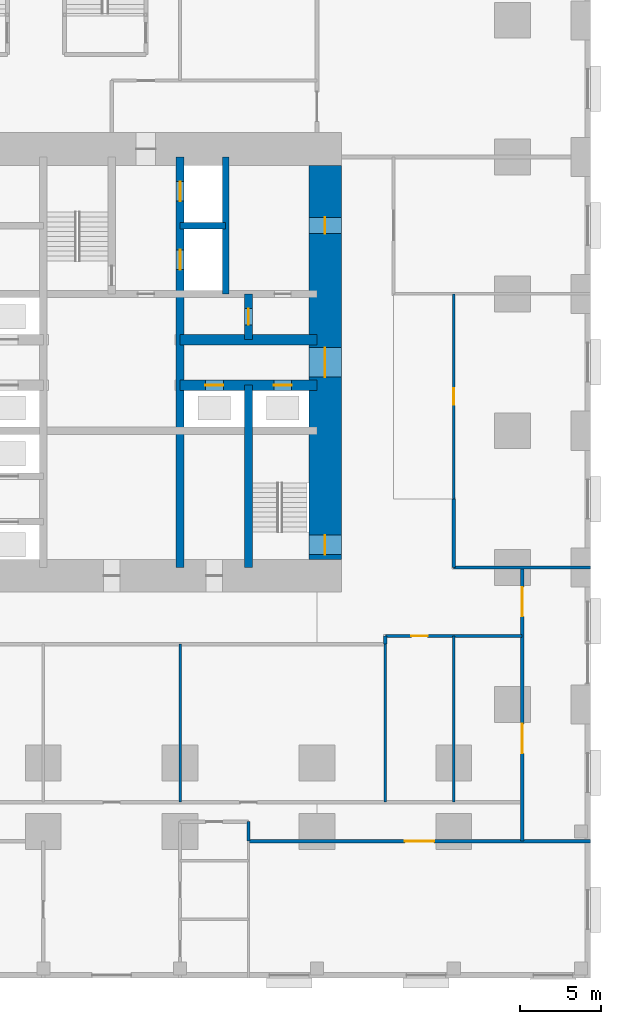
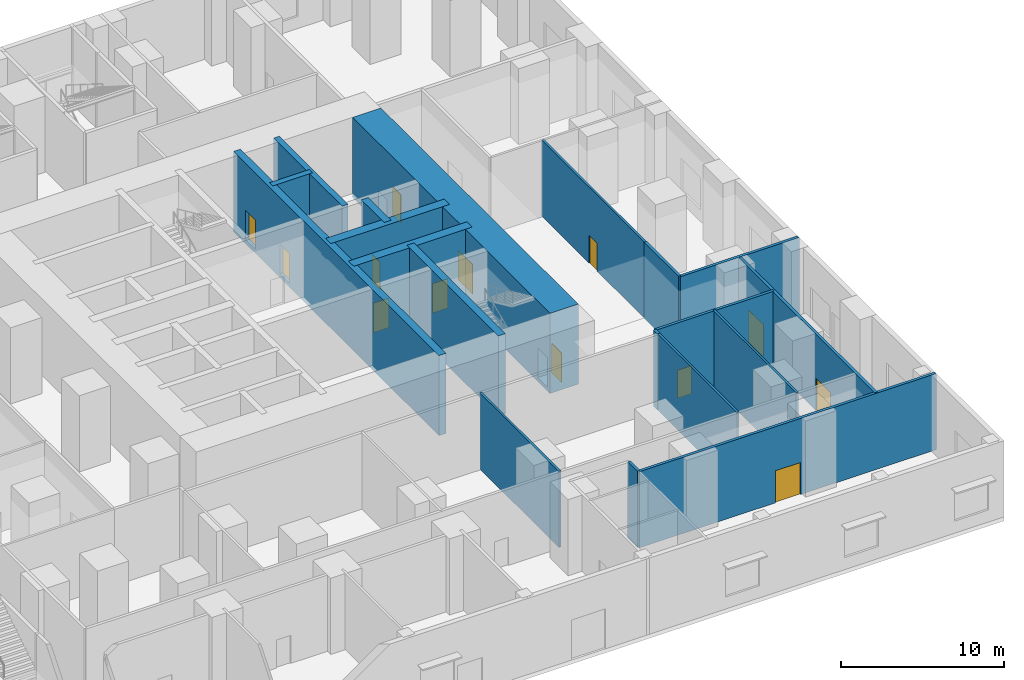
# One storey, part 19 of 26: 19 walls, 13 doors, 13 openings.
"""IFC4 building model written with IfcOpenShell, lengths in metres."""

from ifc_helpers import new_model, si_unit, direction, frame, frame_2d, origin, place, context, subcontext, project, spatial, rectangle, extrude, material, layer, layer_set, type_object, element, fill, save


model = new_model("IFC4")

# Units and contexts
model_context = context("Model", 3, precision=1e-05, world=origin(), true_north=direction((0.0, 1.0)))
body_context = subcontext(model_context, "Body", "Model", "MODEL_VIEW")
ifc_project = project(units=[si_unit("LENGTHUNIT", "METRE"), si_unit("AREAUNIT", "SQUARE_METRE"), si_unit("VOLUMEUNIT", "CUBIC_METRE"), si_unit("PLANEANGLEUNIT", "RADIAN"), si_unit("MASSUNIT", "GRAM", prefix="KILO")], contexts=[model_context])

# Site, building, storey
site_placement = place(None, origin())
site = spatial("IfcSite", under=ifc_project, at=site_placement, CompositionType="ELEMENT")
building_placement = place(site_placement, origin())
building = spatial("IfcBuilding", under=site, at=building_placement, Name="Dunama Terrace Hotel", CompositionType="ELEMENT")
storey_placement = place(building_placement, origin())
storey = spatial("IfcBuildingStorey", under=building, at=storey_placement, Name="L00", CompositionType="ELEMENT", Elevation=0.0)

# Walls
ifc_material_1 = material(Name="Concrete C50/60", Category="concrete")
ifc_layer_1 = layer(ifc_material_1, 0.39990234375)
ifc_layer_set_1 = layer_set([ifc_layer_1], Name="Core inner wall 400")
wall_type_1 = type_object("IfcWallType", Name="Core inner wall 400", PredefinedType="SHEAR", material=ifc_layer_set_1)
wall_1_placement = place(storey_placement, frame((36.39990234375, 33.60009765625, -0.300048828125), z_axis=(0.0, 0.0, 1.0), x_axis=(0.0, 1.0, 0.0)))
element("IfcWall", 1, at=wall_1_placement, inside=storey, type_object=wall_type_1, Name="Core inner wall 400 L00", PredefinedType="SHEAR", context=body_context, shape_type="SweptSolid", body=[
    extrude(rectangle(XDim=8.39990234375, YDim=0.39990234375, at=frame_2d((4.199951171875, 0.0))), origin(), (0.0, 0.0, 1.0), 6.0),
])
wall_2_placement = place(storey_placement, frame((33.60009765625, 37.800048828125, -0.300048828125), z_axis=(0.0, 0.0, 1.0), x_axis=(1.0, 0.0, 0.0)))
element("IfcWall", 2, at=wall_2_placement, inside=storey, type_object=wall_type_1, Name="Core inner wall 400 L00", PredefinedType="SHEAR", context=body_context, shape_type="SweptSolid", body=[
    extrude(rectangle(XDim=2.7998046875, YDim=0.39990234375, at=frame_2d((1.39990234375, 0.0))), origin(), (0.0, 0.0, 1.0), 6.0),
])

# Wall, openings, doors
ifc_material_2 = material(Name="Concrete C50/60", Category="concrete")
ifc_layer_2 = layer(ifc_material_2, 0.5)
ifc_layer_set_2 = layer_set([ifc_layer_2], Name="Core inner wall 500")
wall_type_2 = type_object("IfcWallType", Name="Core inner wall 500", PredefinedType="SHEAR", material=ifc_layer_set_2)
wall_3_placement = place(storey_placement, frame((33.60009765625, 16.800048828125, -0.300048828125), z_axis=(0.0, 0.0, 1.0), x_axis=(0.0, 1.0, 0.0)))
wall_3 = element("IfcWall", 3, at=wall_3_placement, inside=storey, type_object=wall_type_2, Name="Core inner wall 500 L00", PredefinedType="SHEAR", context=body_context, shape_type="SweptSolid", body=[
    extrude(rectangle(XDim=25.199951171875, YDim=0.5, at=frame_2d((12.60009765625, 0.0))), origin(), (0.0, 0.0, 1.0), 6.0),
])
opening_1_placement = place(wall_3_placement, frame((22.5, 0.0, 0.300048828125)))
opening_1 = element("IfcOpeningElement", 4, at=opening_1_placement, cuts=wall_3, Name="Opening L00-038", PredefinedType="OPENING", context=body_context, shape_type="SweptSolid", body=[
    extrude(rectangle(XDim=1.199951171875, YDim=2.199951171875, at=frame_2d((0.60009765625, 1.10009765625))), frame((0.0, 0.260009765625, 0.0), z_axis=(0.0, -1.0, 0.0), x_axis=(1.0, 0.0, 0.0)), (0.0, 0.0, 1.0), 0.52001953125),
])
opening_2_placement = place(wall_3_placement, frame((18.300048828125, 0.0, 0.300048828125)))
opening_2 = element("IfcOpeningElement", 5, at=opening_2_placement, cuts=wall_3, Name="Opening L00-039", PredefinedType="OPENING", context=body_context, shape_type="SweptSolid", body=[
    extrude(rectangle(XDim=1.199951171875, YDim=2.199951171875, at=frame_2d((0.60009765625, 1.10009765625))), frame((0.0, 0.260009765625, 0.0), z_axis=(0.0, -1.0, 0.0), x_axis=(1.0, 0.0, 0.0)), (0.0, 0.0, 1.0), 0.52001953125),
])
ifc_material_3 = material(Name="Stainless steel lift door", Category="steel")
door_type_1 = type_object("IfcDoorType", Name="Firefighting lift landing door 1200", OperationType="DOUBLE_DOOR_SLIDING", PredefinedType="DOOR", material=ifc_material_3)
door_1_placement = place(opening_1_placement, origin())
door_1 = element("IfcDoor", 6, at=door_1_placement, inside=storey, type_object=door_type_1, Name="Landing door FL1 L00-038, type LD2", OperationType="DOUBLE_DOOR_SLIDING", OverallHeight=2.199951171875, OverallWidth=1.199951171875, PredefinedType="DOOR", context=body_context, shape_type="SweptSolid", body=[
    extrude(rectangle(XDim=1.199951171875, YDim=2.199951171875, at=frame_2d((0.60009765625, 1.10009765625))), frame((0.0, 0.02490234375, 0.0), z_axis=(0.0, -1.0, 0.0), x_axis=(1.0, 0.0, 0.0)), (0.0, 0.0, 1.0), 0.050048828125),
])
fill(opening_1, door_1)
door_2_placement = place(opening_2_placement, origin())
door_2 = element("IfcDoor", 7, at=door_2_placement, inside=storey, type_object=door_type_1, Name="Landing door FL2 L00-039, type LD2", OperationType="DOUBLE_DOOR_SLIDING", OverallHeight=2.199951171875, OverallWidth=1.199951171875, PredefinedType="DOOR", context=body_context, shape_type="SweptSolid", body=[
    extrude(rectangle(XDim=1.199951171875, YDim=2.199951171875, at=frame_2d((0.60009765625, 1.10009765625))), frame((0.0, 0.02490234375, 0.0), z_axis=(0.0, -1.0, 0.0), x_axis=(1.0, 0.0, 0.0)), (0.0, 0.0, 1.0), 0.050048828125),
])
fill(opening_2, door_2)

# Wall
wall_4_placement = place(storey_placement, frame((37.800048828125, 16.800048828125, -0.300048828125), z_axis=(0.0, 0.0, 1.0), x_axis=(0.0, 1.0, 0.0)))
element("IfcWall", 8, at=wall_4_placement, inside=storey, type_object=wall_type_2, Name="Core inner wall 500 L00", PredefinedType="SHEAR", context=body_context, shape_type="SweptSolid", body=[
    extrude(rectangle(XDim=11.199951171875, YDim=0.5, at=frame_2d((5.60009765625, 0.0))), origin(), (0.0, 0.0, 1.0), 6.0),
])

# Wall, opening, door
wall_5_placement = place(storey_placement, frame((37.800048828125, 30.800048828125, -0.300048828125), z_axis=(0.0, 0.0, 1.0), x_axis=(0.0, 1.0, 0.0)))
wall_5 = element("IfcWall", 9, at=wall_5_placement, inside=storey, type_object=wall_type_2, Name="Core inner wall 500 L00", PredefinedType="SHEAR", context=body_context, shape_type="SweptSolid", body=[
    extrude(rectangle(XDim=2.800048828125, YDim=0.5, at=frame_2d((1.39990234375, 0.0))), origin(), (0.0, 0.0, 1.0), 6.0),
])
opening_3_placement = place(wall_5_placement, frame((0.89990234375, 0.0, 0.300048828125)))
opening_3 = element("IfcOpeningElement", 10, at=opening_3_placement, cuts=wall_5, Name="Opening L00-045", PredefinedType="OPENING", context=body_context, shape_type="SweptSolid", body=[
    extrude(rectangle(XDim=1.0, YDim=2.10009765625, at=frame_2d((0.5, 1.050048828125))), frame((0.0, 0.260009765625, 0.0), z_axis=(0.0, -1.0, 0.0), x_axis=(1.0, 0.0, 0.0)), (0.0, 0.0, 1.0), 0.52001953125),
])
ifc_material_4 = material(Name="Timber door with steel frame", Category="steel")
door_type_2 = type_object("IfcDoorType", Name="Service door 1000", OperationType="SINGLE_SWING_LEFT", PredefinedType="DOOR", material=ifc_material_4)
door_3_placement = place(opening_3_placement, frame((1.0, 0.0, 0.0), z_axis=(0.0, 0.0, 1.0), x_axis=(-1.0, 0.0, 0.0)))
door_3 = element("IfcDoor", 11, at=door_3_placement, inside=storey, type_object=door_type_2, Name="Door to service riser L00-045, type D7", OperationType="SINGLE_SWING_RIGHT", OverallHeight=2.10009765625, OverallWidth=1.0, PredefinedType="DOOR", context=body_context, shape_type="SweptSolid", body=[
    extrude(rectangle(XDim=1.0, YDim=2.10009765625, at=frame_2d((0.5, 1.050048828125))), frame((0.0, 0.025146484375, 0.0), z_axis=(0.0, -1.0, 0.0), x_axis=(1.0, 0.0, 0.0)), (0.0, 0.0, 1.0), 0.050048828125),
])
fill(opening_3, door_3)

# Wall, openings, doors
ifc_material_5 = material(Name="Concrete C50/60", Category="concrete")
ifc_layer_3 = layer(ifc_material_5, 0.64990234375)
ifc_layer_set_3 = layer_set([ifc_layer_3], Name="Core inner wall 650")
wall_type_3 = type_object("IfcWallType", Name="Core inner wall 650", PredefinedType="SHEAR", material=ifc_layer_set_3)
wall_6_placement = place(storey_placement, frame((33.60009765625, 28.0, -0.300048828125), z_axis=(0.0, 0.0, 1.0), x_axis=(1.0, 0.0, 0.0)))
wall_6 = element("IfcWall", 12, at=wall_6_placement, inside=storey, type_object=wall_type_3, Name="Core inner wall 650 L00", PredefinedType="SHEAR", context=body_context, shape_type="SweptSolid", body=[
    extrude(rectangle(XDim=8.39990234375, YDim=0.64990234375, at=frame_2d((4.199951171875, 0.0))), origin(), (0.0, 0.0, 1.0), 6.0),
])
opening_4_placement = place(wall_6_placement, frame((1.550048828125, 0.0, 0.300048828125)))
opening_4 = element("IfcOpeningElement", 13, at=opening_4_placement, cuts=wall_6, Name="Opening L00-032", PredefinedType="OPENING", context=body_context, shape_type="SweptSolid", body=[
    extrude(rectangle(XDim=1.10009765625, YDim=2.199951171875, at=frame_2d((0.550048828125, 1.10009765625))), frame((0.0, 0.3349609375, 0.0), z_axis=(0.0, -1.0, 0.0), x_axis=(1.0, 0.0, 0.0)), (0.0, 0.0, 1.0), 0.669921875),
])
opening_5_placement = place(wall_6_placement, frame((5.75, 0.0, 0.300048828125)))
opening_5 = element("IfcOpeningElement", 14, at=opening_5_placement, cuts=wall_6, Name="Opening L00-033", PredefinedType="OPENING", context=body_context, shape_type="SweptSolid", body=[
    extrude(rectangle(XDim=1.10009765625, YDim=2.199951171875, at=frame_2d((0.550048828125, 1.10009765625))), frame((0.0, 0.3349609375, 0.0), z_axis=(0.0, -1.0, 0.0), x_axis=(1.0, 0.0, 0.0)), (0.0, 0.0, 1.0), 0.669921875),
])
ifc_material_6 = material(Name="Stainless steel lift door", Category="steel")
door_type_3 = type_object("IfcDoorType", Name="Lift landing door 1100", OperationType="DOUBLE_DOOR_SLIDING", PredefinedType="DOOR", material=ifc_material_6)
door_4_placement = place(opening_4_placement, origin())
door_4 = element("IfcDoor", 15, at=door_4_placement, inside=storey, type_object=door_type_3, Name="Landing door PB1 L00-032, type LD1", OperationType="DOUBLE_DOOR_SLIDING", OverallHeight=2.199951171875, OverallWidth=1.10009765625, PredefinedType="DOOR", context=body_context, shape_type="SweptSolid", body=[
    extrude(rectangle(XDim=1.10009765625, YDim=2.199951171875, at=frame_2d((0.550048828125, 1.10009765625))), frame((0.0, 0.02490234375, 0.0), z_axis=(0.0, -1.0, 0.0), x_axis=(1.0, 0.0, 0.0)), (0.0, 0.0, 1.0), 0.050048828125),
])
fill(opening_4, door_4)
door_5_placement = place(opening_5_placement, origin())
door_5 = element("IfcDoor", 16, at=door_5_placement, inside=storey, type_object=door_type_3, Name="Landing door PB2 L00-033, type LD1", OperationType="DOUBLE_DOOR_SLIDING", OverallHeight=2.199951171875, OverallWidth=1.10009765625, PredefinedType="DOOR", context=body_context, shape_type="SweptSolid", body=[
    extrude(rectangle(XDim=1.10009765625, YDim=2.199951171875, at=frame_2d((0.550048828125, 1.10009765625))), frame((0.0, 0.02490234375, 0.0), z_axis=(0.0, -1.0, 0.0), x_axis=(1.0, 0.0, 0.0)), (0.0, 0.0, 1.0), 0.050048828125),
])
fill(opening_5, door_5)

# Wall
wall_7_placement = place(storey_placement, frame((33.60009765625, 30.800048828125, -0.300048828125), z_axis=(0.0, 0.0, 1.0), x_axis=(1.0, 0.0, 0.0)))
element("IfcWall", 17, at=wall_7_placement, inside=storey, type_object=wall_type_3, Name="Core inner wall 650 L00", PredefinedType="SHEAR", context=body_context, shape_type="SweptSolid", body=[
    extrude(rectangle(XDim=8.39990234375, YDim=0.64990234375, at=frame_2d((4.199951171875, 0.0))), origin(), (0.0, 0.0, 1.0), 6.0),
])

# Wall, openings, doors
ifc_material_7 = material(Name="Concrete C60/75", Category="concrete")
ifc_layer_4 = layer(ifc_material_7, 2.0)
ifc_layer_set_4 = layer_set([ifc_layer_4], Name="Core wall 2000")
wall_type_4 = type_object("IfcWallType", Name="Core wall 2000", PredefinedType="SHEAR", material=ifc_layer_set_4)
wall_8_placement = place(storey_placement, frame((42.5, 17.300048828125, -0.300048828125), z_axis=(0.0, 0.0, 1.0), x_axis=(0.0, 1.0, 0.0)))
wall_8 = element("IfcWall", 18, at=wall_8_placement, inside=storey, type_object=wall_type_4, Name="Core wall east L00", PredefinedType="SHEAR", context=body_context, shape_type="SweptSolid", body=[
    extrude(rectangle(XDim=24.199951171875, YDim=2.0, at=frame_2d((12.10009765625, 0.0))), origin(), (0.0, 0.0, 1.0), 6.0),
])
opening_6_placement = place(wall_8_placement, frame((0.300048828125, 0.0, 0.300048828125)))
opening_6 = element("IfcOpeningElement", 19, at=opening_6_placement, cuts=wall_8, Name="Opening L00-021", PredefinedType="OPENING", context=body_context, shape_type="SweptSolid", body=[
    extrude(rectangle(XDim=1.199951171875, YDim=2.199951171875, at=frame_2d((0.60009765625, 1.10009765625))), frame((0.0, 1.010009765625, 0.0), z_axis=(0.0, -1.0, 0.0), x_axis=(1.0, 0.0, 0.0)), (0.0, 0.0, 1.0), 2.02001953125),
])
opening_7_placement = place(wall_8_placement, frame((11.199951171875, 0.0, 0.300048828125)))
opening_7 = element("IfcOpeningElement", 20, at=opening_7_placement, cuts=wall_8, Name="Opening L00-047", PredefinedType="OPENING", context=body_context, shape_type="SweptSolid", body=[
    extrude(rectangle(XDim=1.800048828125, YDim=2.199951171875, at=frame_2d((0.89990234375, 1.10009765625))), frame((0.0, 1.010009765625, 0.0), z_axis=(0.0, -1.0, 0.0), x_axis=(1.0, 0.0, 0.0)), (0.0, 0.0, 1.0), 2.02001953125),
])
opening_8_placement = place(wall_8_placement, frame((20.0, 0.0, 0.300048828125)))
opening_8 = element("IfcOpeningElement", 21, at=opening_8_placement, cuts=wall_8, Name="Opening L00-049", PredefinedType="OPENING", context=body_context, shape_type="SweptSolid", body=[
    extrude(rectangle(XDim=1.0, YDim=2.10009765625, at=frame_2d((0.5, 1.050048828125))), frame((0.0, 1.010009765625, 0.0), z_axis=(0.0, -1.0, 0.0), x_axis=(1.0, 0.0, 0.0)), (0.0, 0.0, 1.0), 2.02001953125),
])
ifc_material_8 = material(Name="Timber door with steel frame", Category="steel")
door_type_4 = type_object("IfcDoorType", Name="Lift lobby double door 1800", OperationType="DOUBLE_DOOR_DOUBLE_SWING", PredefinedType="DOOR", material=ifc_material_8)
door_6_placement = place(opening_7_placement, origin())
door_6 = element("IfcDoor", 22, at=door_6_placement, inside=storey, type_object=door_type_4, Name="Door to lift lobby L00-047, type D3", OperationType="DOUBLE_DOOR_DOUBLE_SWING", OverallHeight=2.199951171875, OverallWidth=1.800048828125, PredefinedType="DOOR", context=body_context, shape_type="SweptSolid", body=[
    extrude(rectangle(XDim=1.800048828125, YDim=2.199951171875, at=frame_2d((0.89990234375, 1.10009765625))), frame((0.0, 0.02490234375, 0.0), z_axis=(0.0, -1.0, 0.0), x_axis=(1.0, 0.0, 0.0)), (0.0, 0.0, 1.0), 0.050048828125),
])
fill(opening_7, door_6)
door_7_placement = place(opening_8_placement, origin())
door_7 = element("IfcDoor", 23, at=door_7_placement, inside=storey, type_object=door_type_2, Name="Door to bell desk store L00-049, type D7", OperationType="SINGLE_SWING_RIGHT", OverallHeight=2.10009765625, OverallWidth=1.0, PredefinedType="DOOR", context=body_context, shape_type="SweptSolid", body=[
    extrude(rectangle(XDim=1.0, YDim=2.10009765625, at=frame_2d((0.5, 1.050048828125))), frame((0.0, 0.02490234375, 0.0), z_axis=(0.0, -1.0, 0.0), x_axis=(1.0, 0.0, 0.0)), (0.0, 0.0, 1.0), 0.050048828125),
])
fill(opening_8, door_7)
ifc_material_9 = material(Name="Timber door with steel frame", Category="steel")
door_type_5 = type_object("IfcDoorType", Name="Stair door 1200", OperationType="SINGLE_SWING_LEFT", PredefinedType="DOOR", material=ifc_material_9)
door_8_placement = place(opening_6_placement, frame((1.199951171875, 0.0, 0.0), z_axis=(0.0, 0.0, 1.0), x_axis=(-1.0, 0.0, 0.0)))
door_8 = element("IfcDoor", 24, at=door_8_placement, inside=storey, type_object=door_type_5, Name="Stair door ST2 L00-021, type D5", OperationType="SINGLE_SWING_RIGHT", OverallHeight=2.199951171875, OverallWidth=1.199951171875, PredefinedType="DOOR", context=body_context, shape_type="SweptSolid", body=[
    extrude(rectangle(XDim=1.199951171875, YDim=2.199951171875, at=frame_2d((0.599853515625, 1.10009765625))), frame((0.0, 0.025146484375, 0.0), z_axis=(0.0, -1.0, 0.0), x_axis=(1.0, 0.0, 0.0)), (0.0, 0.0, 1.0), 0.050048828125),
])
fill(opening_6, door_8)

# Walls
ifc_material_10 = material(Name="Concrete blockwork", Category="masonry")
ifc_layer_5 = layer(ifc_material_10, 0.199951171875)
ifc_layer_set_5 = layer_set([ifc_layer_5], Name="Corridor partition 200")
wall_type_5 = type_object("IfcWallType", Name="Corridor partition 200", PredefinedType="PARTITIONING", material=ifc_layer_set_5)
wall_9_placement = place(storey_placement, frame((37.800048828125, 0.0, 0.0), z_axis=(0.0, 0.0, 1.0), x_axis=(0.0, 1.0, 0.0)))
element("IfcWall", 25, at=wall_9_placement, inside=storey, type_object=wall_type_5, Name="Corridor partition 200 L00", PredefinedType="PARTITIONING", context=body_context, shape_type="SweptSolid", body=[
    extrude(rectangle(XDim=1.199951171875, YDim=0.199951171875, at=frame_2d((0.60009765625, 0.0))), origin(), (0.0, 0.0, 1.0), 5.699951171875),
])
wall_10_placement = place(storey_placement, frame((46.199951171875, 12.10009765625, 0.0), z_axis=(0.0, 0.0, 1.0), x_axis=(0.0, 1.0, 0.0)))
element("IfcWall", 26, at=wall_10_placement, inside=storey, type_object=wall_type_5, Name="Corridor partition 200 L00", PredefinedType="PARTITIONING", context=body_context, shape_type="SweptSolid", body=[
    extrude(rectangle(XDim=0.5, YDim=0.199951171875, at=frame_2d((0.25, 0.0))), origin(), (0.0, 0.0, 1.0), 5.699951171875),
])
wall_11_placement = place(storey_placement, frame((50.39990234375, 16.800048828125, 0.0), z_axis=(0.0, 0.0, 1.0), x_axis=(0.0, 1.0, 0.0)))
element("IfcWall", 27, at=wall_11_placement, inside=storey, type_object=wall_type_5, Name="Corridor partition 200 L00", PredefinedType="PARTITIONING", context=body_context, shape_type="SweptSolid", body=[
    extrude(rectangle(XDim=4.199951171875, YDim=0.199951171875, at=frame_2d((2.10009765625, 0.0))), origin(), (0.0, 0.0, 1.0), 5.699951171875),
])

# Wall, openings, doors
wall_12_placement = place(storey_placement, frame((54.60009765625, 0.0, 0.0), z_axis=(0.0, 0.0, 1.0), x_axis=(0.0, 1.0, 0.0)))
wall_12 = element("IfcWall", 28, at=wall_12_placement, inside=storey, type_object=wall_type_5, Name="Corridor partition 200 L00", PredefinedType="PARTITIONING", context=body_context, shape_type="SweptSolid", body=[
    extrude(rectangle(XDim=16.800048828125, YDim=0.199951171875, at=frame_2d((8.39990234375, 0.0))), origin(), (0.0, 0.0, 1.0), 5.699951171875),
])
opening_9_placement = place(wall_12_placement, frame((13.800048828125, 0.0, 0.0)))
opening_9 = element("IfcOpeningElement", 29, at=opening_9_placement, cuts=wall_12, Name="Opening L00-061", PredefinedType="OPENING", context=body_context, shape_type="SweptSolid", body=[
    extrude(rectangle(XDim=1.800048828125, YDim=2.39990234375, at=frame_2d((0.89990234375, 1.199951171875))), frame((0.0, 0.10986328125, 0.0), z_axis=(0.0, -1.0, 0.0), x_axis=(1.0, 0.0, 0.0)), (0.0, 0.0, 1.0), 0.219970703125),
])
opening_10_placement = place(wall_12_placement, frame((5.39990234375, 0.0, 0.0)))
opening_10 = element("IfcOpeningElement", 30, at=opening_10_placement, cuts=wall_12, Name="Opening L00-079", PredefinedType="OPENING", context=body_context, shape_type="SweptSolid", body=[
    extrude(rectangle(XDim=1.800048828125, YDim=2.39990234375, at=frame_2d((0.89990234375, 1.199951171875))), frame((0.0, 0.10986328125, 0.0), z_axis=(0.0, -1.0, 0.0), x_axis=(1.0, 0.0, 0.0)), (0.0, 0.0, 1.0), 0.219970703125),
])
ifc_material_11 = material(Name="Aluminium-framed glazed door", Category="aluminium")
door_type_6 = type_object("IfcDoorType", Name="Glazed double door 1800", OperationType="DOUBLE_DOOR_DOUBLE_SWING", PredefinedType="DOOR", material=ifc_material_11)
door_9_placement = place(opening_9_placement, origin())
door_9 = element("IfcDoor", 31, at=door_9_placement, inside=storey, type_object=door_type_6, Name="Door to entrance vestibule L00-061, type D8", OperationType="DOUBLE_DOOR_DOUBLE_SWING", OverallHeight=2.39990234375, OverallWidth=1.800048828125, PredefinedType="DOOR", context=body_context, shape_type="SweptSolid", body=[
    extrude(rectangle(XDim=1.800048828125, YDim=2.39990234375, at=frame_2d((0.89990234375, 1.199951171875))), frame((0.0, 0.02490234375, 0.0), z_axis=(0.0, -1.0, 0.0), x_axis=(1.0, 0.0, 0.0)), (0.0, 0.0, 1.0), 0.050048828125),
])
fill(opening_9, door_9)
door_10_placement = place(opening_10_placement, origin())
door_10 = element("IfcDoor", 32, at=door_10_placement, inside=storey, type_object=door_type_6, Name="Door to hotel gift shop L00-079, type D8", OperationType="DOUBLE_DOOR_DOUBLE_SWING", OverallHeight=2.39990234375, OverallWidth=1.800048828125, PredefinedType="DOOR", context=body_context, shape_type="SweptSolid", body=[
    extrude(rectangle(XDim=1.800048828125, YDim=2.39990234375, at=frame_2d((0.89990234375, 1.199951171875))), frame((0.0, 0.02490234375, 0.0), z_axis=(0.0, -1.0, 0.0), x_axis=(1.0, 0.0, 0.0)), (0.0, 0.0, 1.0), 0.050048828125),
])
fill(opening_10, door_10)

# Wall, opening, door
wall_13_placement = place(storey_placement, frame((37.800048828125, 0.0, 0.0), z_axis=(0.0, 0.0, 1.0), x_axis=(1.0, 0.0, 0.0)))
wall_13 = element("IfcWall", 33, at=wall_13_placement, inside=storey, type_object=wall_type_5, Name="Corridor partition 200 L00", PredefinedType="PARTITIONING", context=body_context, shape_type="SweptSolid", body=[
    extrude(rectangle(XDim=21.0, YDim=0.199951171875, at=frame_2d((10.5, 0.0))), origin(), (0.0, 0.0, 1.0), 5.699951171875),
])
opening_11_placement = place(wall_13_placement, frame((9.60009765625, 0.0, 0.0)))
opening_11 = element("IfcOpeningElement", 34, at=opening_11_placement, cuts=wall_13, Name="Opening L00-065", PredefinedType="OPENING", context=body_context, shape_type="SweptSolid", body=[
    extrude(rectangle(XDim=1.800048828125, YDim=2.39990234375, at=frame_2d((0.89990234375, 1.199951171875))), frame((0.0, 0.10986328125, 0.0), z_axis=(0.0, -1.0, 0.0), x_axis=(1.0, 0.0, 0.0)), (0.0, 0.0, 1.0), 0.219970703125),
])
door_11_placement = place(opening_11_placement, origin())
door_11 = element("IfcDoor", 35, at=door_11_placement, inside=storey, type_object=door_type_6, Name="Door to cocktail bar and lounge L00-065, type D8", OperationType="DOUBLE_DOOR_DOUBLE_SWING", OverallHeight=2.39990234375, OverallWidth=1.800048828125, PredefinedType="DOOR", context=body_context, shape_type="SweptSolid", body=[
    extrude(rectangle(XDim=1.800048828125, YDim=2.39990234375, at=frame_2d((0.89990234375, 1.199951171875))), frame((0.0, 0.02490234375, 0.0), z_axis=(0.0, -1.0, 0.0), x_axis=(1.0, 0.0, 0.0)), (0.0, 0.0, 1.0), 0.050048828125),
])
fill(opening_11, door_11)

wall_14_placement = place(storey_placement, frame((46.199951171875, 12.60009765625, 0.0), z_axis=(0.0, 0.0, 1.0), x_axis=(1.0, 0.0, 0.0)))
wall_14 = element("IfcWall", 36, at=wall_14_placement, inside=storey, type_object=wall_type_5, Name="Corridor partition 200 L00", PredefinedType="PARTITIONING", context=body_context, shape_type="SweptSolid", body=[
    extrude(rectangle(XDim=8.400146484375, YDim=0.199951171875, at=frame_2d((4.2001953125, 0.0))), origin(), (0.0, 0.0, 1.0), 5.699951171875),
])
opening_12_placement = place(wall_14_placement, frame((1.60009765625, 0.0, 0.0)))
opening_12 = element("IfcOpeningElement", 37, at=opening_12_placement, cuts=wall_14, Name="Opening L00-078", PredefinedType="OPENING", context=body_context, shape_type="SweptSolid", body=[
    extrude(rectangle(XDim=1.0, YDim=2.10009765625, at=frame_2d((0.5, 1.050048828125))), frame((0.0, 0.10986328125, 0.0), z_axis=(0.0, -1.0, 0.0), x_axis=(1.0, 0.0, 0.0)), (0.0, 0.0, 1.0), 0.219970703125),
])
door_12_placement = place(opening_12_placement, frame((1.0, 0.0, 0.0), z_axis=(0.0, 0.0, 1.0), x_axis=(-1.0, 0.0, 0.0)))
door_12 = element("IfcDoor", 38, at=door_12_placement, inside=storey, type_object=door_type_2, Name="Door to duty manager office L00-078, type D7", OperationType="SINGLE_SWING_RIGHT", OverallHeight=2.10009765625, OverallWidth=1.0, PredefinedType="DOOR", context=body_context, shape_type="SweptSolid", body=[
    extrude(rectangle(XDim=1.0, YDim=2.10009765625, at=frame_2d((0.5, 1.050048828125))), frame((0.0, 0.025146484375, 0.0), z_axis=(0.0, -1.0, 0.0), x_axis=(1.0, 0.0, 0.0)), (0.0, 0.0, 1.0), 0.050048828125),
])
fill(opening_12, door_12)

# Walls
wall_15_placement = place(storey_placement, frame((50.39990234375, 16.800048828125, 0.0), z_axis=(0.0, 0.0, 1.0), x_axis=(1.0, 0.0, 0.0)))
element("IfcWall", 39, at=wall_15_placement, inside=storey, type_object=wall_type_5, Name="Corridor partition 200 L00", PredefinedType="PARTITIONING", context=body_context, shape_type="SweptSolid", body=[
    extrude(rectangle(XDim=8.400146484375, YDim=0.199951171875, at=frame_2d((4.2001953125, 0.0))), origin(), (0.0, 0.0, 1.0), 5.699951171875),
])
ifc_material_12 = material(Name="Gypsum board partition", Category="masonry")
ifc_layer_6 = layer(ifc_material_12, 0.14990234375)
ifc_layer_set_6 = layer_set([ifc_layer_6], Name="Room partition 150")
wall_type_6 = type_object("IfcWallType", Name="Room partition 150", PredefinedType="PARTITIONING", material=ifc_layer_set_6)
for number, where, z_axis, x_axis, name in (
    (40, (33.60009765625, 2.39990234375, 0.0), (0.0, 0.0, 1.0), (0.0, 1.0, 0.0), "Room partition 150 L00"),
    (41, (46.199951171875, 2.39990234375, 0.0), (0.0, 0.0, 1.0), (0.0, 1.0, 0.0), "Room partition 150 L00"),
):
    element("IfcWall", number, at=place(storey_placement, frame(where, z_axis=z_axis, x_axis=x_axis)), inside=storey, type_object=wall_type_6, Name=name, PredefinedType="PARTITIONING", context=body_context, shape_type="SweptSolid", body=[
        extrude(rectangle(XDim=9.7001953125, YDim=0.14990234375, at=frame_2d((4.85009765625, 0.0))), origin(), (0.0, 0.0, 1.0), 5.699951171875),
    ])
wall_16_placement = place(storey_placement, frame((50.39990234375, 2.39990234375, 0.0), z_axis=(0.0, 0.0, 1.0), x_axis=(0.0, 1.0, 0.0)))
element("IfcWall", 42, at=wall_16_placement, inside=storey, type_object=wall_type_6, Name="Room partition 150 L00", PredefinedType="PARTITIONING", context=body_context, shape_type="SweptSolid", body=[
    extrude(rectangle(XDim=10.2001953125, YDim=0.14990234375, at=frame_2d((5.10009765625, 0.0))), origin(), (0.0, 0.0, 1.0), 5.699951171875),
])

# Wall, opening, door
wall_17_placement = place(storey_placement, frame((50.39990234375, 21.0, 0.0), z_axis=(0.0, 0.0, 1.0), x_axis=(0.0, 1.0, 0.0)))
wall_17 = element("IfcWall", 43, at=wall_17_placement, inside=storey, type_object=wall_type_6, Name="Room partition 150 L00", PredefinedType="PARTITIONING", context=body_context, shape_type="SweptSolid", body=[
    extrude(rectangle(XDim=12.60009765625, YDim=0.14990234375, at=frame_2d((6.300048828125, 0.0))), origin(), (0.0, 0.0, 1.0), 5.699951171875),
])
opening_13_placement = place(wall_17_placement, frame((5.800048828125, 0.0, 0.0)))
opening_13 = element("IfcOpeningElement", 44, at=opening_13_placement, cuts=wall_17, Name="Opening L00-062", PredefinedType="OPENING", context=body_context, shape_type="SweptSolid", body=[
    extrude(rectangle(XDim=1.0, YDim=2.10009765625, at=frame_2d((0.5, 1.050048828125))), frame((0.0, 0.0849609375, 0.0), z_axis=(0.0, -1.0, 0.0), x_axis=(1.0, 0.0, 0.0)), (0.0, 0.0, 1.0), 0.169921875),
])
door_13_placement = place(opening_13_placement, origin())
door_13 = element("IfcDoor", 45, at=door_13_placement, inside=storey, type_object=door_type_2, Name="Door to front office L00-062, type D7", OperationType="SINGLE_SWING_LEFT", OverallHeight=2.10009765625, OverallWidth=1.0, PredefinedType="DOOR", context=body_context, shape_type="SweptSolid", body=[
    extrude(rectangle(XDim=1.0, YDim=2.10009765625, at=frame_2d((0.5, 1.050048828125))), frame((0.0, 0.02490234375, 0.0), z_axis=(0.0, -1.0, 0.0), x_axis=(1.0, 0.0, 0.0)), (0.0, 0.0, 1.0), 0.050048828125),
])
fill(opening_13, door_13)

save(model, "model.ifc")
